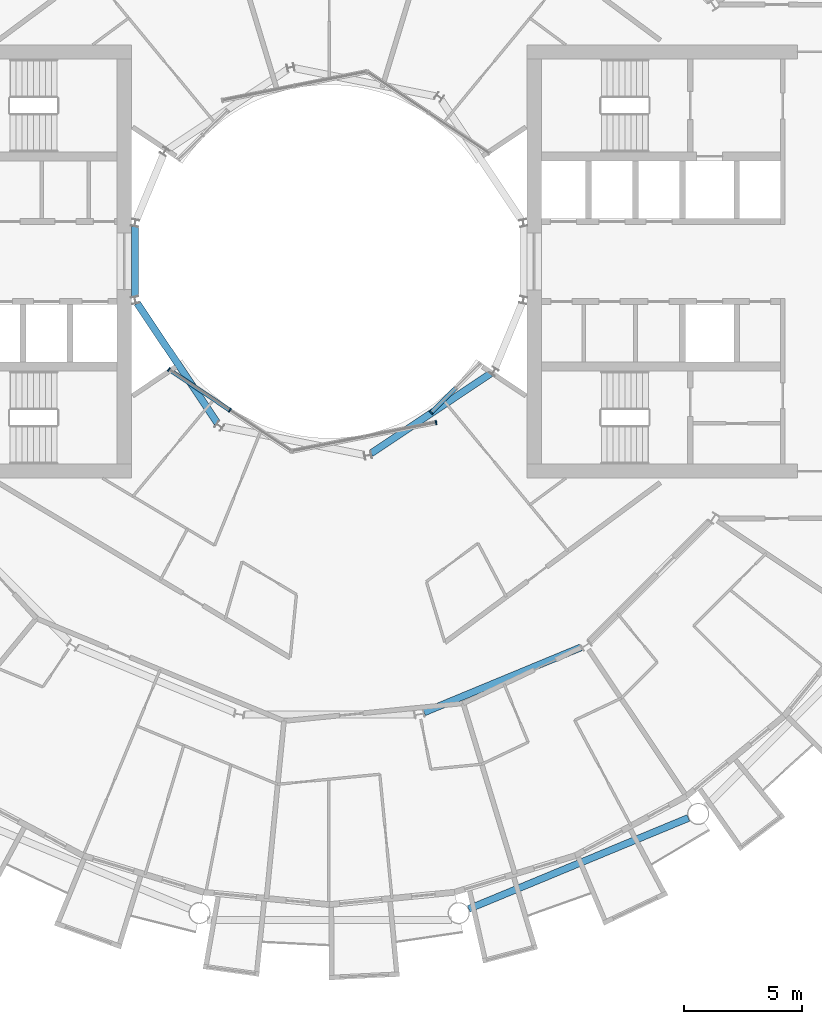
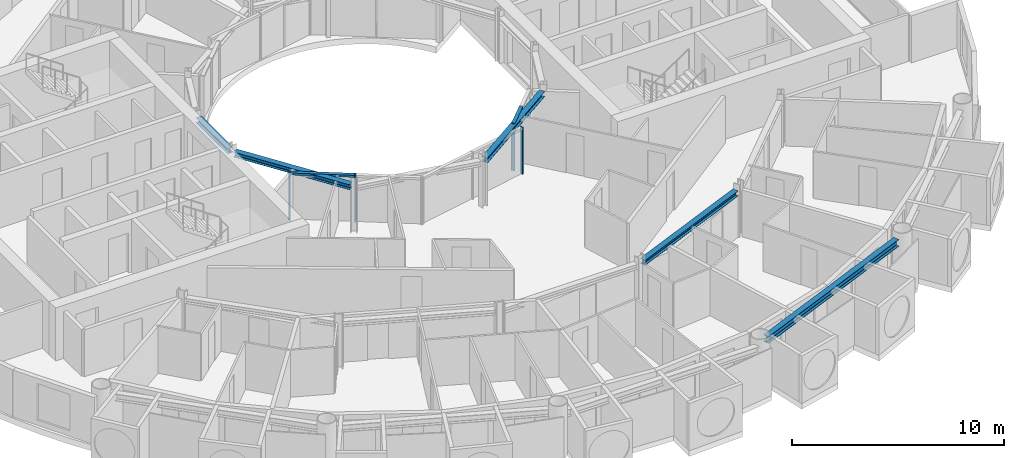
# One storey, part 6 of 27: 6 members, 5 beams, 3 elements without a shape of their own.
"""IFC4 building model written with IfcOpenShell, lengths in metres."""

from ifc_helpers import new_model, si_unit, direction, frame, origin, origin_2d, place, context, subcontext, project, spatial, rectangle, i_section, extrude, material, layer, layer_set, material_profile, profile_set, type_object, element, aggregate, save


model = new_model("IFC4")

# Units and contexts
model_context = context("Model", 3, precision=1e-05, world=origin(), true_north=direction((0.0, 1.0)))
body_context = subcontext(model_context, "Body", "Model", "MODEL_VIEW")
ifc_project = project(units=[si_unit("LENGTHUNIT", "METRE"), si_unit("AREAUNIT", "SQUARE_METRE"), si_unit("VOLUMEUNIT", "CUBIC_METRE"), si_unit("PLANEANGLEUNIT", "RADIAN"), si_unit("MASSUNIT", "GRAM", prefix="KILO")], contexts=[model_context])

# Site, building, storey
site_placement = place(None, origin())
site = spatial("IfcSite", under=ifc_project, at=site_placement, CompositionType="ELEMENT")
building_placement = place(site_placement, origin())
building = spatial("IfcBuilding", under=site, at=building_placement, Name="Maasbend Ring Residences", CompositionType="ELEMENT")
storey_placement = place(building_placement, frame((0.0, 0.0, 117.75)))
storey = spatial("IfcBuildingStorey", under=building, at=storey_placement, Name="L33", CompositionType="ELEMENT", Elevation=117.75)

# Curtain wall, members
ifc_material_1 = material(Name="Aluminium and clear glass", Category="aluminium")
ifc_layer = layer(ifc_material_1, 0.179931640625)
ifc_layer_set = layer_set([ifc_layer], Name="CW-W")
curtain_wall_type = type_object("IfcCurtainWallType", Name="CW-W", PredefinedType="NOTDEFINED", material=ifc_layer_set)
curtain_wall_1_placement = place(storey_placement, origin())
curtain_wall_1 = element("IfcCurtainWall", 1, at=curtain_wall_1_placement, inside=storey, type_object=curtain_wall_type, Name="Well curtain wall S1", PredefinedType="NOTDEFINED")
ifc_material_2 = material(Name="Aluminium 6063-T6", Category="aluminium")
ifc_material_profile_1 = material_profile(ifc_material_2, rectangle(XDim=0.179931640625, YDim=0.06005859375, at=origin_2d()), Name="AL 180x60")
ifc_profile_set_1 = profile_set([ifc_material_profile_1], Name="Aluminium 6063-T6")
member_type_1 = type_object("IfcMemberType", Name="CWM-W", PredefinedType="MULLION", material=ifc_profile_set_1)
member_1_placement = place(storey_placement, frame((-6.805908203125, -4.580810546875, 0.0), z_axis=(0.0, 0.0, 1.0), x_axis=(0.55557023302, 0.831469612303, 0.0)))
member_1 = element("IfcMember", 2, at=member_1_placement, type_object=member_type_1, Name="Mullion well face", PredefinedType="MULLION", context=body_context, shape_type="SweptSolid", body=[
    extrude(rectangle(XDim=0.179931640625, YDim=0.06005859375, at=origin_2d()), origin(), (0.0, 0.0, 1.0), 2.699951171875),
])
member_2_placement = place(storey_placement, frame((-4.216796875, -6.310791015625, 0.0), z_axis=(0.0, 0.0, 1.0), x_axis=(0.55557023302, 0.831469612303, 0.0)))
member_2 = element("IfcMember", 3, at=member_2_placement, type_object=member_type_1, Name="Mullion well face", PredefinedType="MULLION", context=body_context, shape_type="SweptSolid", body=[
    extrude(rectangle(XDim=0.179931640625, YDim=0.06005859375, at=origin_2d()), origin(), (0.0, 0.0, 1.0), 2.699951171875),
])

# Curtain wall, member
curtain_wall_2_placement = place(storey_placement, origin())
curtain_wall_2 = element("IfcCurtainWall", 4, at=curtain_wall_2_placement, inside=storey, type_object=curtain_wall_type, Name="Well curtain wall S2", PredefinedType="NOTDEFINED")
member_3_placement = place(storey_placement, frame((4.53466796875, -6.836669921875, 0.0), z_axis=(0.0, 0.0, 1.0), x_axis=(-0.195090322016, 0.980785280403, 0.0)))
member_3 = element("IfcMember", 5, at=member_3_placement, type_object=member_type_1, Name="Mullion well face", PredefinedType="MULLION", context=body_context, shape_type="SweptSolid", body=[
    extrude(rectangle(XDim=0.179931640625, YDim=0.06005859375, at=origin_2d()), origin(), (0.0, 0.0, 1.0), 2.699951171875),
])
aggregate(curtain_wall_2, [member_3])

curtain_wall_3_placement = place(storey_placement, origin())
curtain_wall_3 = element("IfcCurtainWall", 6, at=curtain_wall_3_placement, inside=storey, type_object=curtain_wall_type, Name="Well curtain wall S3", PredefinedType="NOTDEFINED")
member_4_placement = place(storey_placement, frame((4.320556640625, -6.413330078125, 0.0), z_axis=(0.0, 0.0, 1.0), x_axis=(-0.707106781187, 0.707106781187, 0.0)))
member_4 = element("IfcMember", 7, at=member_4_placement, type_object=member_type_1, Name="Mullion well face", PredefinedType="MULLION", context=body_context, shape_type="SweptSolid", body=[
    extrude(rectangle(XDim=0.179931640625, YDim=0.06005859375, at=origin_2d()), origin(), (0.0, 0.0, 1.0), 2.699951171875),
])

# Member
ifc_material_3 = material(Name="Aluminium 6063-T6", Category="aluminium")
ifc_material_profile_2 = material_profile(ifc_material_3, rectangle(XDim=0.179931640625, YDim=0.1201171875, at=origin_2d()), Name="AL 180x120")
ifc_profile_set_2 = profile_set([ifc_material_profile_2], Name="Aluminium 6063-T6")
member_type_2 = type_object("IfcMemberType", Name="CWT-W", PredefinedType="USERDEFINED", material=ifc_profile_set_2)
member_5_placement = place(storey_placement, frame((-6.781005859375, -4.59765625, 2.639892578125), z_axis=(0.831496422459, -0.555530106689, 0.0), x_axis=(0.555530106689, 0.831496422459, 0.0)))
member_5 = element("IfcMember", 8, at=member_5_placement, type_object=member_type_2, Name="Transom well face", ObjectType="TRANSOM", PredefinedType="USERDEFINED", context=body_context, shape_type="SweptSolid", body=[
    extrude(rectangle(XDim=0.179931640625, YDim=0.1201171875, at=origin_2d()), origin(), (0.0, 0.0, 1.0), 3.053955078125),
])

aggregate(curtain_wall_1, [member_1, member_2, member_5])

member_6_placement = place(storey_placement, frame((4.341796875, -6.39208984375, 2.639892578125), z_axis=(0.707106781187, 0.707106781187, 0.0), x_axis=(-0.707106781187, 0.707106781187, 0.0)))
member_6 = element("IfcMember", 9, at=member_6_placement, type_object=member_type_2, Name="Transom well face", ObjectType="TRANSOM", PredefinedType="USERDEFINED", context=body_context, shape_type="SweptSolid", body=[
    extrude(rectangle(XDim=0.179931640625, YDim=0.1201171875, at=origin_2d()), origin(), (0.0, 0.0, 1.0), 1.419677734375),
])

aggregate(curtain_wall_3, [member_4, member_6])

# Beams
ifc_material_4 = material(Name="Steel S355J2", Category="steel")
ifc_material_profile_3 = material_profile(ifc_material_4, i_section(OverallWidth=0.300048828125, OverallDepth=0.2900390625, WebThickness=0.008544921875, FlangeThickness=0.013916015625, FilletRadius=0.027099609375, at=origin_2d()), Name="HEA 300")
ifc_profile_set_3 = profile_set([ifc_material_profile_3], Name="Steel S355J2")
beam_type_1 = type_object("IfcBeamType", Name="Corridor ring beam HEA 300", PredefinedType="BEAM", material=ifc_profile_set_3)
beam_1_placement = place(storey_placement, frame((4.02734375, -19.13916015625, 2.554931640625), z_axis=(0.923877693919, 0.382687871089, 0.0), x_axis=(-0.382687871089, 0.923877693919, 0.0)))
element("IfcBeam", 10, at=beam_1_placement, inside=storey, type_object=beam_type_1, Name="Corridor ring beam", PredefinedType="BEAM", context=body_context, shape_type="SweptSolid", body=[
    extrude(i_section(OverallWidth=0.300048828125, OverallDepth=0.2900390625, WebThickness=0.008544921875, FlangeThickness=0.013916015625, FilletRadius=0.027099609375, at=origin_2d()), origin(), (0.0, 0.0, 1.0), 7.20703125),
])
ifc_material_5 = material(Name="Steel S355J2", Category="steel")
ifc_material_profile_4 = material_profile(ifc_material_5, i_section(OverallWidth=0.300048828125, OverallDepth=0.39990234375, WebThickness=0.013427734375, FlangeThickness=0.02392578125, FilletRadius=0.027099609375, at=origin_2d()), Name="HEB 400")
ifc_profile_set_4 = profile_set([ifc_material_profile_4], Name="Steel S355J2")
beam_type_2 = type_object("IfcBeamType", Name="Spandrel ring beam HEB 400", PredefinedType="SPANDREL", material=ifc_profile_set_4)
beam_2_placement = place(storey_placement, frame((5.923583984375, -27.483154296875, 2.5), z_axis=(0.92388529709, 0.382669515144, 0.0), x_axis=(-0.382669515144, 0.92388529709, 0.0)))
element("IfcBeam", 11, at=beam_2_placement, inside=storey, type_object=beam_type_2, Name="Spandrel ring beam", PredefinedType="SPANDREL", context=body_context, shape_type="SweptSolid", body=[
    extrude(i_section(OverallWidth=0.300048828125, OverallDepth=0.39990234375, WebThickness=0.013427734375, FlangeThickness=0.02392578125, FilletRadius=0.027099609375, at=origin_2d()), origin(), (0.0, 0.0, 1.0), 10.089111328125),
])
ifc_material_6 = material(Name="Steel S355J2", Category="steel")
ifc_material_profile_5 = material_profile(ifc_material_6, i_section(OverallWidth=0.300048828125, OverallDepth=0.2900390625, WebThickness=0.008544921875, FlangeThickness=0.013916015625, FilletRadius=0.027099609375, at=origin_2d()), Name="HEA 300")
ifc_profile_set_5 = profile_set([ifc_material_profile_5], Name="Steel S355J2")
beam_type_3 = type_object("IfcBeamType", Name="Well edge beam HEA 300", PredefinedType="BEAM", material=ifc_profile_set_5)
beam_3_placement = place(storey_placement, frame((-8.238525390625, 1.48583984375, 2.554931640625), z_axis=(0.0, -1.0, 0.0), x_axis=(1.0, 0.0, 0.0)))
element("IfcBeam", 12, at=beam_3_placement, inside=storey, type_object=beam_type_3, Name="Well edge beam", PredefinedType="BEAM", context=body_context, shape_type="SweptSolid", body=[
    extrude(i_section(OverallWidth=0.300048828125, OverallDepth=0.2900390625, WebThickness=0.008544921875, FlangeThickness=0.013916015625, FilletRadius=0.027099609375, at=origin_2d()), origin(), (0.0, 0.0, 1.0), 2.9716796875),
])
for number, where, z_axis, x_axis, name in (
    (13, (-8.1484375, -1.773681640625, 2.554931640625), (0.555558236289, -0.831477628137, 0.0), (0.831477628137, 0.555558236289, 0.0), "Well edge beam"),
    (14, (1.773681640625, -8.1484375, 2.554931640625), (0.831477628137, 0.555558236289, 0.0), (-0.555558236289, 0.831477628137, 0.0), "Well edge beam"),
):
    element("IfcBeam", number, at=place(storey_placement, frame(where, z_axis=z_axis, x_axis=x_axis)), inside=storey, type_object=beam_type_3, Name=name, PredefinedType="BEAM", context=body_context, shape_type="SweptSolid", body=[
        extrude(i_section(OverallWidth=0.300048828125, OverallDepth=0.2900390625, WebThickness=0.008544921875, FlangeThickness=0.013916015625, FilletRadius=0.027099609375, at=origin_2d()), origin(), (0.0, 0.0, 1.0), 6.1044921875),
    ])

save(model, "model.ifc")
